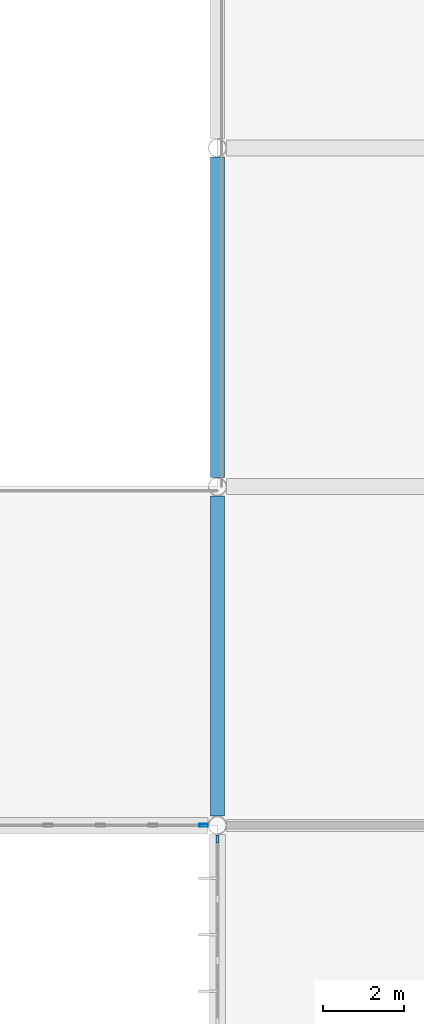
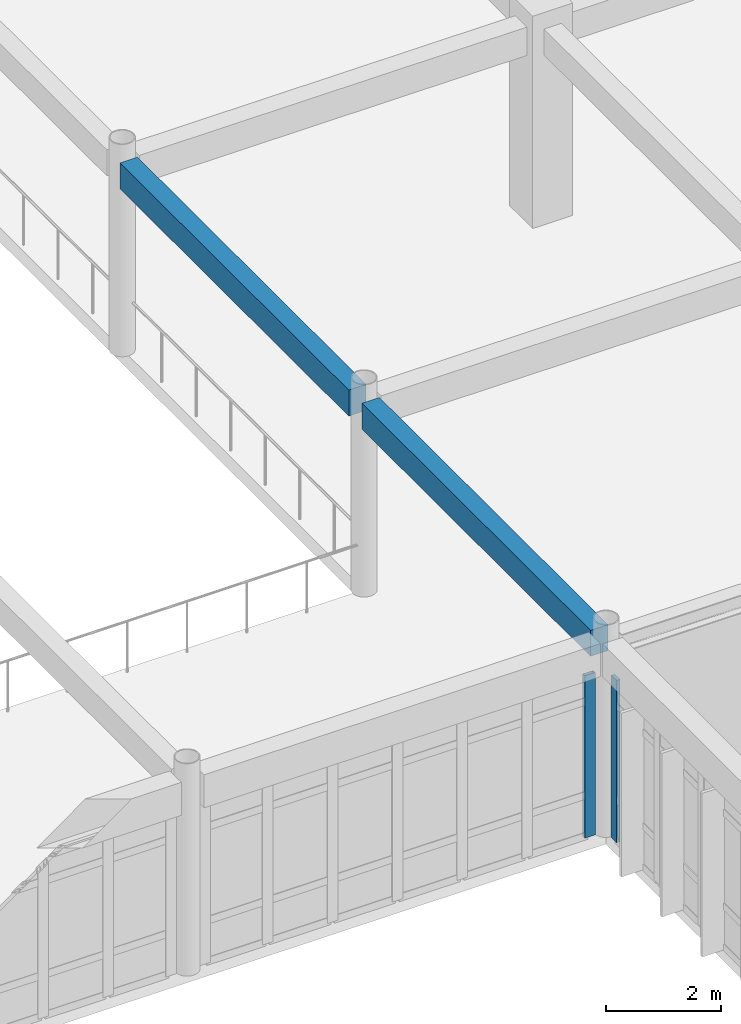
# One storey, part 24 of 144: 2 beams, 2 members, 2 elements without a shape of their own.
"""IFC4 building model written with IfcOpenShell, lengths in metres."""

from ifc_helpers import new_model, si_unit, direction, frame, origin, origin_2d, place, context, subcontext, project, spatial, rectangle, hollow_rectangle, extrude, material, layer, layer_set, material_profile, profile_set, type_object, element, aggregate, save


model = new_model("IFC4")

# Units and contexts
model_context = context("Model", 3, precision=1e-05, world=origin(), true_north=direction((0.0, 1.0)))
body_context = subcontext(model_context, "Body", "Model", "MODEL_VIEW")
ifc_project = project(units=[si_unit("LENGTHUNIT", "METRE"), si_unit("AREAUNIT", "SQUARE_METRE"), si_unit("VOLUMEUNIT", "CUBIC_METRE"), si_unit("PLANEANGLEUNIT", "RADIAN"), si_unit("MASSUNIT", "GRAM", prefix="KILO")], contexts=[model_context])

# Site, building, storey
site_placement = place(None, origin())
site = spatial("IfcSite", under=ifc_project, at=site_placement, CompositionType="ELEMENT")
building_placement = place(site_placement, origin())
building = spatial("IfcBuilding", under=site, at=building_placement, Name="Bramfleet General Hospital", CompositionType="ELEMENT")
storey_placement = place(building_placement, frame((0.0, 0.0, 4.800048828125)))
storey = spatial("IfcBuildingStorey", under=building, at=storey_placement, Name="L01", CompositionType="ELEMENT", Elevation=4.800048828125)

# Beams
ifc_material_1 = material(Name="Concrete C35/45", Category="concrete")
ifc_material_profile_1 = material_profile(ifc_material_1, rectangle(XDim=0.35009765625, YDim=0.550048828125, at=origin_2d()), Name="RC BM 550x350")
ifc_profile_set_1 = profile_set([ifc_material_profile_1], Name="Concrete C35/45")
beam_type = type_object("IfcBeamType", Name="BM-RC550", PredefinedType="BEAM", material=ifc_profile_set_1)
beam_1_placement = place(storey_placement, frame((92.39990234375, 17.028564453125, 3.875), z_axis=(0.0, 1.0, 0.0), x_axis=(-1.0, 0.0, 0.0)))
element("IfcBeam", 1, at=beam_1_placement, inside=storey, type_object=beam_type, Name="L01 Grid Beam Y 11-02", PredefinedType="BEAM", context=body_context, shape_type="SweptSolid", body=[
    extrude(rectangle(XDim=0.35009765625, YDim=0.550048828125, at=origin_2d()), origin(), (0.0, 0.0, 1.0), 7.94287109375),
])
beam_2_placement = place(storey_placement, frame((92.39990234375, 25.428466796875, 3.875), z_axis=(0.0, 1.0, 0.0), x_axis=(-1.0, 0.0, 0.0)))
element("IfcBeam", 2, at=beam_2_placement, inside=storey, type_object=beam_type, Name="L01 Grid Beam Y 11-03", PredefinedType="BEAM", context=body_context, shape_type="SweptSolid", body=[
    extrude(rectangle(XDim=0.35009765625, YDim=0.550048828125, at=origin_2d()), origin(), (0.0, 0.0, 1.0), 7.943115234375),
])

# Curtain wall, member
ifc_material_2 = material(Name="Anodised aluminium and low-E triple glazing", Category="aluminium")
ifc_layer_1 = layer(ifc_material_2, 0.179931640625, Name="CWT-CW-07")
ifc_layer_set_1 = layer_set([ifc_layer_1], Name="Anodised aluminium and low-E triple glazing")
curtain_wall_type_1 = type_object("IfcCurtainWallType", Name="CWT-CW-07", PredefinedType="USERDEFINED", material=ifc_layer_set_1)
curtain_wall_1_placement = place(storey_placement, origin())
curtain_wall_1 = element("IfcCurtainWall", 3, at=curtain_wall_1_placement, inside=storey, type_object=curtain_wall_type_1, Name="L01 Curtain Wall 79", ObjectType="Unitised curtain wall", PredefinedType="USERDEFINED")
ifc_material_3 = material(Name="Anodised aluminium EN AW-6060", Category="aluminium")
ifc_material_profile_2 = material_profile(ifc_material_3, hollow_rectangle(XDim=0.074951171875, YDim=0.2099609375, WallThickness=0.00439453125, at=origin_2d()), Name="ALU 210x75x4.5")
ifc_profile_set_2 = profile_set([ifc_material_profile_2], Name="Anodised aluminium EN AW-6060")
member_type_1 = type_object("IfcMemberType", Name="CWM-ALU210", PredefinedType="MULLION", material=ifc_profile_set_2)
member_1_placement = place(storey_placement, frame((92.0595703125, 16.800048828125, 0.0), z_axis=(0.0, 0.0, 1.0), x_axis=(0.0, -1.0, 0.0)))
member_1 = element("IfcMember", 4, at=member_1_placement, type_object=member_type_1, Name="CW-07 mullion 1", PredefinedType="MULLION", context=body_context, shape_type="SweptSolid", body=[
    extrude(hollow_rectangle(XDim=0.074951171875, YDim=0.2099609375, WallThickness=0.00439453125, at=origin_2d()), origin(), (0.0, 0.0, 1.0), 3.43994140625),
])
aggregate(curtain_wall_1, [member_1])

ifc_layer_2 = layer(ifc_material_2, 0.179931640625, Name="CWT-CW-06")
ifc_layer_set_2 = layer_set([ifc_layer_2], Name="Anodised aluminium and low-E triple glazing")
curtain_wall_type_2 = type_object("IfcCurtainWallType", Name="CWT-CW-06", PredefinedType="USERDEFINED", material=ifc_layer_set_2)
curtain_wall_2_placement = place(storey_placement, origin())
curtain_wall_2 = element("IfcCurtainWall", 5, at=curtain_wall_2_placement, inside=storey, type_object=curtain_wall_type_2, Name="L01 Curtain Wall 78", ObjectType="Unitised curtain wall", PredefinedType="USERDEFINED")
ifc_material_4 = material(Name="Structural timber GL28h", Category="wood")
ifc_material_profile_3 = material_profile(ifc_material_4, rectangle(XDim=0.070068359375, YDim=0.18994140625, at=origin_2d()), Name="LARCH 190x70")
ifc_profile_set_3 = profile_set([ifc_material_profile_3], Name="Structural timber GL28h")
member_type_2 = type_object("IfcMemberType", Name="CWM-LARCH450", PredefinedType="MULLION", material=ifc_profile_set_3)
member_2_placement = place(storey_placement, frame((92.39990234375, 16.4619140625, 0.0), z_axis=(0.0, 0.0, 1.0), x_axis=(-1.0, 0.0, 0.0)))
member_2 = element("IfcMember", 6, at=member_2_placement, type_object=member_type_2, Name="CW-06 mullion 6", PredefinedType="MULLION", context=body_context, shape_type="SweptSolid", body=[
    extrude(rectangle(XDim=0.070068359375, YDim=0.18994140625, at=origin_2d()), origin(), (0.0, 0.0, 1.0), 3.43994140625),
])
aggregate(curtain_wall_2, [member_2])

save(model, "model.ifc")
